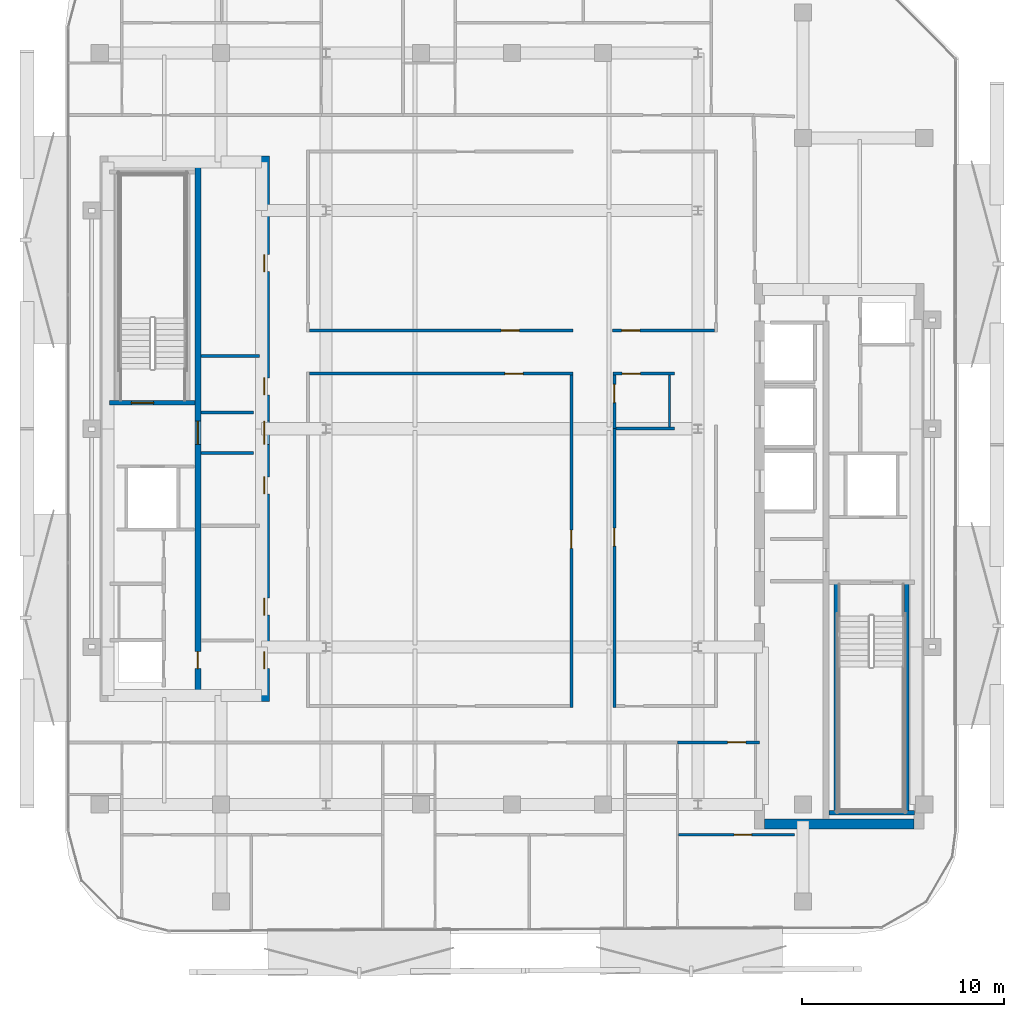
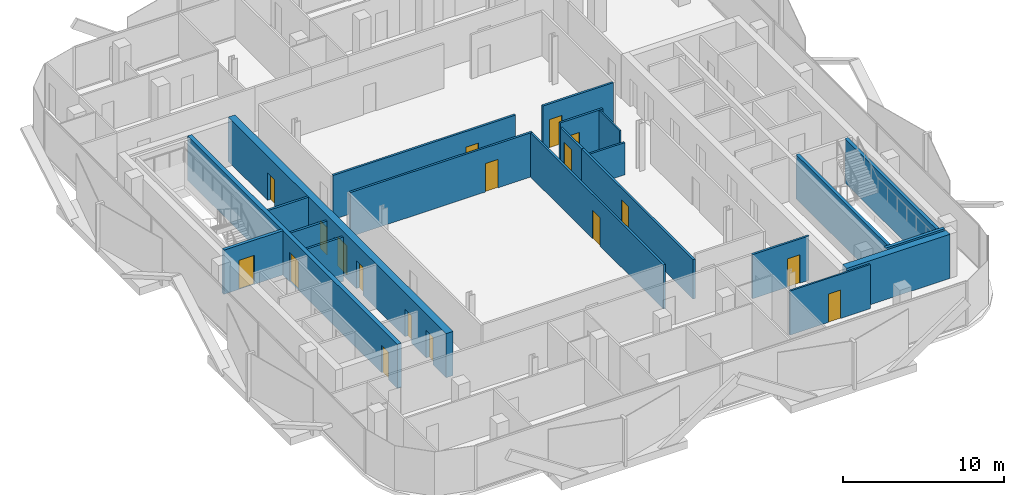
# One storey, part 4 of 15: 21 walls, 18 doors, 18 openings.
"""IFC4 building model written with IfcOpenShell, lengths in metres."""

from ifc_helpers import new_model, si_unit, direction, frame, frame_2d, origin, place, context, subcontext, project, spatial, rectangle, extrude, material, layer, layer_set, type_object, element, fill, save


model = new_model("IFC4")

# Units and contexts
model_context = context("Model", 3, precision=1e-05, world=origin(), true_north=direction((0.0, 1.0)))
body_context = subcontext(model_context, "Body", "Model", "MODEL_VIEW")
ifc_project = project(units=[si_unit("LENGTHUNIT", "METRE"), si_unit("AREAUNIT", "SQUARE_METRE"), si_unit("VOLUMEUNIT", "CUBIC_METRE"), si_unit("PLANEANGLEUNIT", "RADIAN"), si_unit("MASSUNIT", "GRAM", prefix="KILO")], contexts=[model_context])

# Site, building, storey
site_placement = place(None, origin())
site = spatial("IfcSite", under=ifc_project, at=site_placement, CompositionType="ELEMENT")
building_placement = place(site_placement, origin())
building = spatial("IfcBuilding", under=site, at=building_placement, Name="Khairoan Windgate Tower", CompositionType="ELEMENT")
storey_placement = place(building_placement, frame((0.0, 0.0, 251.199951171875)))
storey = spatial("IfcBuildingStorey", under=building, at=storey_placement, Name="L59", CompositionType="ELEMENT", Elevation=251.199951171875)

# Walls
ifc_material_1 = material(Name="Moisture-Resistant Gypsum Partition", Category="gypsum")
ifc_layer_1 = layer(ifc_material_1, 0.10009765625, Name="Moisture-Resistant Gypsum Partition")
ifc_layer_set_1 = layer_set([ifc_layer_1], Name="Moisture-Resistant Gypsum Partition")
wall_type_1 = type_object("IfcWallType", Name="Bathroom Wet-Area Partition Wall", PredefinedType="PARTITIONING", material=ifc_layer_set_1)
wall_1_placement = place(storey_placement, frame((7.800048828125, 2.659912109375, 0.0), z_axis=(0.0, 0.0, 1.0), x_axis=(0.0, -1.0, 0.0)))
element("IfcWall", 1, at=wall_1_placement, inside=storey, type_object=wall_type_1, Name="L59 Wet Room Side Wall 088", PredefinedType="PARTITIONING", context=body_context, shape_type="SweptSolid", body=[
    extrude(rectangle(XDim=2.56982421875, YDim=0.10009765625, at=frame_2d((1.284912109375, 0.0))), origin(), (0.0, 0.0, 1.0), 3.340087890625),
])
ifc_material_2 = material(Name="Concrete C40/50", Category="concrete")
ifc_layer_2 = layer(ifc_material_2, 0.159912109375, Name="Concrete C40/50")
ifc_layer_set_2 = layer_set([ifc_layer_2], Name="Concrete C40/50")
wall_type_2 = type_object("IfcWallType", Name="Core and Hoistway Enclosure Wall", PredefinedType="STANDARD", material=ifc_layer_set_2)
for number, where, z_axis, x_axis, name in (
    (2, (-15.39990234375, 0.800048828125, 0.0), (0.0, 0.0, 1.0), (1.0, 0.0, 0.0), "L59 Core Shaft Wall SW-WV1-L59"),
    (3, (-15.39990234375, -1.199951171875, 0.0), (0.0, 0.0, 1.0), (1.0, 0.0, 0.0), "L59 Core Shaft Wall SW-WV2-L59"),
):
    element("IfcWall", number, at=place(storey_placement, frame(where, z_axis=z_axis, x_axis=x_axis)), inside=storey, type_object=wall_type_2, Name=name, PredefinedType="STANDARD", context=body_context, shape_type="SweptSolid", body=[
        extrude(rectangle(XDim=2.599853515625, YDim=0.159912109375, at=frame_2d((1.2998046875, 0.0))), origin(), (0.0, 0.0, 1.0), 3.340087890625),
    ])
ifc_material_3 = material(Name="Acoustic Fire-Rated Gypsum Partition", Category="gypsum")
ifc_layer_3 = layer(ifc_material_3, 0.139892578125, Name="Acoustic Fire-Rated Gypsum Partition")
ifc_layer_set_3 = layer_set([ifc_layer_3], Name="Acoustic Fire-Rated Gypsum Partition")
wall_type_3 = type_object("IfcWallType", Name="Inter-Tenancy Compartment Wall", PredefinedType="PARTITIONING", material=ifc_layer_set_3)
wall_2_placement = place(storey_placement, frame((5.139892578125, 0.02001953125, 0.0), z_axis=(0.0, 0.0, 1.0), x_axis=(1.0, 0.0, 0.0)))
element("IfcWall", 4, at=wall_2_placement, inside=storey, type_object=wall_type_3, Name="L59 Interior Partition 086", PredefinedType="PARTITIONING", context=body_context, shape_type="SweptSolid", body=[
    extrude(rectangle(XDim=2.900146484375, YDim=0.139892578125, at=frame_2d((1.4501953125, 0.0))), origin(), (0.0, 0.0, 1.0), 2.43994140625),
])

# Wall, opening, door
ifc_material_4 = material(Name="Gypsum Stud Partition", Category="gypsum")
ifc_layer_4 = layer(ifc_material_4, 0.1201171875, Name="Gypsum Stud Partition")
ifc_layer_set_4 = layer_set([ifc_layer_4], Name="Gypsum Stud Partition")
wall_type_4 = type_object("IfcWallType", Name="Internal Room Partition Wall", PredefinedType="PARTITIONING", material=ifc_layer_set_4)
wall_3_placement = place(storey_placement, frame((8.25, -20.10009765625, 0.0), z_axis=(0.0, 0.0, 1.0), x_axis=(1.0, 0.0, 0.0)))
wall_3 = element("IfcWall", 5, at=wall_3_placement, inside=storey, type_object=wall_type_4, Name="L59 Interior Partition 085", PredefinedType="PARTITIONING", context=body_context, shape_type="SweptSolid", body=[
    extrude(rectangle(XDim=5.72998046875, YDim=0.1201171875, at=frame_2d((2.864990234375, 0.0))), origin(), (0.0, 0.0, 1.0), 3.340087890625),
])
opening_1_placement = place(wall_3_placement, frame((2.746826171875, 0.0, 0.0)))
opening_1 = element("IfcOpeningElement", 6, at=opening_1_placement, cuts=wall_3, Name="Opening ID-RM", PredefinedType="OPENING", context=body_context, shape_type="SweptSolid", body=[
    extrude(rectangle(XDim=0.860107421875, YDim=2.14990234375, at=frame_2d((0.43017578125, 1.074951171875))), frame((0.0, 0.070068359375, 0.0), z_axis=(0.0, -1.0, 0.0), x_axis=(1.0, 0.0, 0.0)), (0.0, 0.0, 1.0), 0.14013671875),
])
ifc_material_5 = material(Name="Teak Veneer Timber Leaf", Category="wood")
door_type_1 = type_object("IfcDoorType", Name="Internal Bedroom and Office Door ID-RM 860x2150", OperationType="NOTDEFINED", PredefinedType="DOOR", material=ifc_material_5)
door_1_placement = place(opening_1_placement, origin())
door_1 = element("IfcDoor", 7, at=door_1_placement, inside=storey, type_object=door_type_1, Name="L59 L59-56-L59-57 Door", OperationType="SINGLE_SWING_RIGHT", OverallHeight=2.14990234375, OverallWidth=0.860107421875, PredefinedType="DOOR", context=body_context, shape_type="SweptSolid", body=[
    extrude(rectangle(XDim=0.860107421875, YDim=2.14990234375, at=frame_2d((0.43017578125, 1.074951171875))), frame((0.0, 0.02490234375, 0.0), z_axis=(0.0, -1.0, 0.0), x_axis=(1.0, 0.0, 0.0)), (0.0, 0.0, 1.0), 0.050048828125),
])
fill(opening_1, door_1)

# Wall
ifc_material_6 = material(Name="Concrete C40/50", Category="concrete")
ifc_layer_5 = layer(ifc_material_6, 0.159912109375, Name="Concrete C40/50")
ifc_layer_set_5 = layer_set([ifc_layer_5], Name="Concrete C40/50")
wall_type_5 = type_object("IfcWallType", Name="Plant and Refuge Compartment Wall", PredefinedType="PARTITIONING", material=ifc_layer_set_5)
wall_4_placement = place(storey_placement, frame((-15.39990234375, 3.60009765625, 0.0), z_axis=(0.0, 0.0, 1.0), x_axis=(1.0, 0.0, 0.0)))
element("IfcWall", 8, at=wall_4_placement, inside=storey, type_object=wall_type_5, Name="L59 Interior Partition 006", PredefinedType="PARTITIONING", context=body_context, shape_type="SweptSolid", body=[
    extrude(rectangle(XDim=2.89990234375, YDim=0.159912109375, at=frame_2d((1.449951171875, 0.0))), origin(), (0.0, 0.0, 1.0), 3.340087890625),
])

# Wall, opening, door
ifc_material_7 = material(Name="Acoustic Fire-Rated Gypsum Partition", Category="gypsum")
ifc_layer_6 = layer(ifc_material_7, 0.14990234375, Name="Acoustic Fire-Rated Gypsum Partition")
ifc_layer_set_6 = layer_set([ifc_layer_6], Name="Acoustic Fire-Rated Gypsum Partition")
wall_type_6 = type_object("IfcWallType", Name="Rated Corridor Partition Wall", PredefinedType="PARTITIONING", material=ifc_layer_set_6)
wall_5_placement = place(storey_placement, frame((-10.02490234375, 4.864990234375, 0.0), z_axis=(0.0, 0.0, 1.0), x_axis=(1.0, 0.0, 0.0)))
wall_5 = element("IfcWall", 9, at=wall_5_placement, inside=storey, type_object=wall_type_6, Name="L59 Interior Partition 016", PredefinedType="PARTITIONING", context=body_context, shape_type="SweptSolid", body=[
    extrude(rectangle(XDim=13.054931640625, YDim=0.14990234375, at=frame_2d((6.52734375, 0.0))), origin(), (0.0, 0.0, 1.0), 3.340087890625),
])
opening_2_placement = place(wall_5_placement, frame((9.488037109375, 0.0, 0.0)))
opening_2 = element("IfcOpeningElement", 10, at=opening_2_placement, cuts=wall_5, Name="Opening FD-ENT", PredefinedType="OPENING", context=body_context, shape_type="SweptSolid", body=[
    extrude(rectangle(XDim=0.89990234375, YDim=2.14990234375, at=frame_2d((0.449951171875, 1.074951171875))), frame((0.0, 0.0849609375, 0.0), z_axis=(0.0, -1.0, 0.0), x_axis=(1.0, 0.0, 0.0)), (0.0, 0.0, 1.0), 0.169921875),
])
ifc_material_8 = material(Name="Timber Fire-Rated Core", Category="wood")
door_type_2 = type_object("IfcDoorType", Name="Unit and Office Fire Entrance Door FD-ENT 900x2150", OperationType="NOTDEFINED", PredefinedType="DOOR", material=ifc_material_8)
door_2_placement = place(opening_2_placement, origin())
door_2 = element("IfcDoor", 11, at=door_2_placement, inside=storey, type_object=door_type_2, Name="L59 L59-28-L59-59 Door", OperationType="SINGLE_SWING_LEFT", OverallHeight=2.14990234375, OverallWidth=0.89990234375, PredefinedType="DOOR", context=body_context, shape_type="SweptSolid", body=[
    extrude(rectangle(XDim=0.89990234375, YDim=2.14990234375, at=frame_2d((0.449951171875, 1.074951171875))), frame((0.0, 0.02490234375, 0.0), z_axis=(0.0, -1.0, 0.0), x_axis=(1.0, 0.0, 0.0)), (0.0, 0.0, 1.0), 0.050048828125),
])
fill(opening_2, door_2)

wall_6_placement = place(storey_placement, frame((-10.02490234375, 2.735107421875, 0.0), z_axis=(0.0, 0.0, 1.0), x_axis=(1.0, 0.0, 0.0)))
wall_6 = element("IfcWall", 12, at=wall_6_placement, inside=storey, type_object=wall_type_6, Name="L59 Interior Partition 017", PredefinedType="PARTITIONING", context=body_context, shape_type="SweptSolid", body=[
    extrude(rectangle(XDim=13.034912109375, YDim=0.14990234375, at=frame_2d((6.517578125, 0.0))), origin(), (0.0, 0.0, 1.0), 3.340087890625),
])
opening_3_placement = place(wall_6_placement, frame((9.67236328125, 0.0, 0.0)))
opening_3 = element("IfcOpeningElement", 13, at=opening_3_placement, cuts=wall_6, Name="Opening FD-ENT", PredefinedType="OPENING", context=body_context, shape_type="SweptSolid", body=[
    extrude(rectangle(XDim=0.89990234375, YDim=2.14990234375, at=frame_2d((0.449951171875, 1.074951171875))), frame((0.0, 0.0849609375, 0.0), z_axis=(0.0, -1.0, 0.0), x_axis=(1.0, 0.0, 0.0)), (0.0, 0.0, 1.0), 0.169921875),
])
door_3_placement = place(opening_3_placement, origin())
door_3 = element("IfcDoor", 14, at=door_3_placement, inside=storey, type_object=door_type_2, Name="L59 L59-28-L59-60 Door", OperationType="SINGLE_SWING_RIGHT", OverallHeight=2.14990234375, OverallWidth=0.89990234375, PredefinedType="DOOR", context=body_context, shape_type="SweptSolid", body=[
    extrude(rectangle(XDim=0.89990234375, YDim=2.14990234375, at=frame_2d((0.449951171875, 1.074951171875))), frame((0.0, 0.02490234375, 0.0), z_axis=(0.0, -1.0, 0.0), x_axis=(1.0, 0.0, 0.0)), (0.0, 0.0, 1.0), 0.050048828125),
])
fill(opening_3, door_3)

wall_7_placement = place(storey_placement, frame((4.969970703125, 4.864990234375, 0.0), z_axis=(0.0, 0.0, 1.0), x_axis=(1.0, 0.0, 0.0)))
wall_7 = element("IfcWall", 15, at=wall_7_placement, inside=storey, type_object=wall_type_6, Name="L59 Interior Partition 018", PredefinedType="PARTITIONING", context=body_context, shape_type="SweptSolid", body=[
    extrude(rectangle(XDim=5.054931640625, YDim=0.14990234375, at=frame_2d((2.52734375, 0.0))), origin(), (0.0, 0.0, 1.0), 3.340087890625),
])
opening_4_placement = place(wall_7_placement, frame((0.4599609375, 0.0, 0.0)))
opening_4 = element("IfcOpeningElement", 16, at=opening_4_placement, cuts=wall_7, Name="Opening FD-ENT", PredefinedType="OPENING", context=body_context, shape_type="SweptSolid", body=[
    extrude(rectangle(XDim=0.89990234375, YDim=2.14990234375, at=frame_2d((0.449951171875, 1.074951171875))), frame((0.0, 0.0849609375, 0.0), z_axis=(0.0, -1.0, 0.0), x_axis=(1.0, 0.0, 0.0)), (0.0, 0.0, 1.0), 0.169921875),
])
door_4_placement = place(opening_4_placement, origin())
door_4 = element("IfcDoor", 17, at=door_4_placement, inside=storey, type_object=door_type_2, Name="L59 L59-28-L59-61 Door", OperationType="SINGLE_SWING_LEFT", OverallHeight=2.14990234375, OverallWidth=0.89990234375, PredefinedType="DOOR", context=body_context, shape_type="SweptSolid", body=[
    extrude(rectangle(XDim=0.89990234375, YDim=2.14990234375, at=frame_2d((0.449951171875, 1.074951171875))), frame((0.0, 0.02490234375, 0.0), z_axis=(0.0, -1.0, 0.0), x_axis=(1.0, 0.0, 0.0)), (0.0, 0.0, 1.0), 0.050048828125),
])
fill(opening_4, door_4)

wall_8_placement = place(storey_placement, frame((4.989990234375, 2.735107421875, 0.0), z_axis=(0.0, 0.0, 1.0), x_axis=(1.0, 0.0, 0.0)))
wall_8 = element("IfcWall", 18, at=wall_8_placement, inside=storey, type_object=wall_type_6, Name="L59 Interior Partition 019", PredefinedType="PARTITIONING", context=body_context, shape_type="SweptSolid", body=[
    extrude(rectangle(XDim=3.050048828125, YDim=0.14990234375, at=frame_2d((1.52490234375, 0.0))), origin(), (0.0, 0.0, 1.0), 3.340087890625),
])
opening_5_placement = place(wall_8_placement, frame((0.4599609375, 0.0, 0.0)))
opening_5 = element("IfcOpeningElement", 19, at=opening_5_placement, cuts=wall_8, Name="Opening FD-ENT", PredefinedType="OPENING", context=body_context, shape_type="SweptSolid", body=[
    extrude(rectangle(XDim=0.89990234375, YDim=2.14990234375, at=frame_2d((0.449951171875, 1.074951171875))), frame((0.0, 0.0849609375, 0.0), z_axis=(0.0, -1.0, 0.0), x_axis=(1.0, 0.0, 0.0)), (0.0, 0.0, 1.0), 0.169921875),
])
door_5_placement = place(opening_5_placement, origin())
door_5 = element("IfcDoor", 20, at=door_5_placement, inside=storey, type_object=door_type_2, Name="L59 L59-28-L59-62 Door", OperationType="SINGLE_SWING_RIGHT", OverallHeight=2.14990234375, OverallWidth=0.89990234375, PredefinedType="DOOR", context=body_context, shape_type="SweptSolid", body=[
    extrude(rectangle(XDim=0.89990234375, YDim=2.14990234375, at=frame_2d((0.449951171875, 1.074951171875))), frame((0.0, 0.02490234375, 0.0), z_axis=(0.0, -1.0, 0.0), x_axis=(1.0, 0.0, 0.0)), (0.0, 0.0, 1.0), 0.050048828125),
])
fill(opening_5, door_5)

wall_9_placement = place(storey_placement, frame((2.93505859375, -13.794921875, 0.0), z_axis=(0.0, 0.0, 1.0), x_axis=(0.0, 1.0, 0.0)))
wall_9 = element("IfcWall", 21, at=wall_9_placement, inside=storey, type_object=wall_type_6, Name="L59 Interior Partition 020", PredefinedType="PARTITIONING", context=body_context, shape_type="SweptSolid", body=[
    extrude(rectangle(XDim=16.454833984375, YDim=0.14990234375, at=frame_2d((8.2275390625, 0.0))), origin(), (0.0, 0.0, 1.0), 3.340087890625),
])
opening_6_placement = place(wall_9_placement, frame((7.877685546875, 0.0, 0.0)))
opening_6 = element("IfcOpeningElement", 22, at=opening_6_placement, cuts=wall_9, Name="Opening FD-ENT", PredefinedType="OPENING", context=body_context, shape_type="SweptSolid", body=[
    extrude(rectangle(XDim=0.89990234375, YDim=2.14990234375, at=frame_2d((0.449951171875, 1.074951171875))), frame((0.0, 0.0849609375, 0.0), z_axis=(0.0, -1.0, 0.0), x_axis=(1.0, 0.0, 0.0)), (0.0, 0.0, 1.0), 0.169921875),
])
door_6_placement = place(opening_6_placement, origin())
door_6 = element("IfcDoor", 23, at=door_6_placement, inside=storey, type_object=door_type_2, Name="L59 L59-29-L59-60 Door", OperationType="SINGLE_SWING_LEFT", OverallHeight=2.14990234375, OverallWidth=0.89990234375, PredefinedType="DOOR", context=body_context, shape_type="SweptSolid", body=[
    extrude(rectangle(XDim=0.89990234375, YDim=2.14990234375, at=frame_2d((0.449951171875, 1.074951171875))), frame((0.0, 0.02490234375, 0.0), z_axis=(0.0, -1.0, 0.0), x_axis=(1.0, 0.0, 0.0)), (0.0, 0.0, 1.0), 0.050048828125),
])
fill(opening_6, door_6)

wall_10_placement = place(storey_placement, frame((5.06494140625, 0.02001953125, 0.0), z_axis=(0.0, 0.0, 1.0), x_axis=(0.0, 1.0, 0.0)))
wall_10 = element("IfcWall", 24, at=wall_10_placement, inside=storey, type_object=wall_type_6, Name="L59 Interior Partition 021", PredefinedType="PARTITIONING", context=body_context, shape_type="SweptSolid", body=[
    extrude(rectangle(XDim=2.639892578125, YDim=0.14990234375, at=frame_2d((1.31982421875, 0.0))), origin(), (0.0, 0.0, 1.0), 2.989990234375),
])
opening_7_placement = place(wall_10_placement, frame((1.280029296875, 0.0, 0.0)))
opening_7 = element("IfcOpeningElement", 25, at=opening_7_placement, cuts=wall_10, Name="Opening FD-ENT", PredefinedType="OPENING", context=body_context, shape_type="SweptSolid", body=[
    extrude(rectangle(XDim=0.89990234375, YDim=2.14990234375, at=frame_2d((0.449951171875, 1.074951171875))), frame((0.0, 0.0849609375, 0.0), z_axis=(0.0, -1.0, 0.0), x_axis=(1.0, 0.0, 0.0)), (0.0, 0.0, 1.0), 0.169921875),
])
door_7_placement = place(opening_7_placement, origin())
door_7 = element("IfcDoor", 26, at=door_7_placement, inside=storey, type_object=door_type_2, Name="L59 L59-29-L59-62 Door", OperationType="SINGLE_SWING_RIGHT", OverallHeight=2.14990234375, OverallWidth=0.89990234375, PredefinedType="DOOR", context=body_context, shape_type="SweptSolid", body=[
    extrude(rectangle(XDim=0.89990234375, YDim=2.14990234375, at=frame_2d((0.449951171875, 1.074951171875))), frame((0.0, 0.02490234375, 0.0), z_axis=(0.0, -1.0, 0.0), x_axis=(1.0, 0.0, 0.0)), (0.0, 0.0, 1.0), 0.050048828125),
])
fill(opening_7, door_7)

wall_11_placement = place(storey_placement, frame((5.06494140625, -13.794921875, 0.0), z_axis=(0.0, 0.0, 1.0), x_axis=(0.0, 1.0, 0.0)))
wall_11 = element("IfcWall", 27, at=wall_11_placement, inside=storey, type_object=wall_type_6, Name="L59 Interior Partition 022", PredefinedType="PARTITIONING", context=body_context, shape_type="SweptSolid", body=[
    extrude(rectangle(XDim=13.81494140625, YDim=0.14990234375, at=frame_2d((6.907470703125, 0.0))), origin(), (0.0, 0.0, 1.0), 2.989990234375),
])
opening_8_placement = place(wall_11_placement, frame((7.982421875, 0.0, 0.0)))
opening_8 = element("IfcOpeningElement", 28, at=opening_8_placement, cuts=wall_11, Name="Opening FD-ENT", PredefinedType="OPENING", context=body_context, shape_type="SweptSolid", body=[
    extrude(rectangle(XDim=0.89990234375, YDim=2.14990234375, at=frame_2d((0.449951171875, 1.074951171875))), frame((0.0, 0.0849609375, 0.0), z_axis=(0.0, -1.0, 0.0), x_axis=(1.0, 0.0, 0.0)), (0.0, 0.0, 1.0), 0.169921875),
])
door_8_placement = place(opening_8_placement, origin())
door_8 = element("IfcDoor", 29, at=door_8_placement, inside=storey, type_object=door_type_2, Name="L59 L59-29-L59-63 Door", OperationType="SINGLE_SWING_LEFT", OverallHeight=2.14990234375, OverallWidth=0.89990234375, PredefinedType="DOOR", context=body_context, shape_type="SweptSolid", body=[
    extrude(rectangle(XDim=0.89990234375, YDim=2.14990234375, at=frame_2d((0.449951171875, 1.074951171875))), frame((0.0, 0.02490234375, 0.0), z_axis=(0.0, -1.0, 0.0), x_axis=(1.0, 0.0, 0.0)), (0.0, 0.0, 1.0), 0.050048828125),
])
fill(opening_8, door_8)

wall_12_placement = place(storey_placement, frame((8.18994140625, -15.52490234375, 0.0), z_axis=(0.0, 0.0, 1.0), x_axis=(1.0, 0.0, 0.0)))
wall_12 = element("IfcWall", 30, at=wall_12_placement, inside=storey, type_object=wall_type_6, Name="L59 Interior Partition 037", PredefinedType="PARTITIONING", context=body_context, shape_type="SweptSolid", body=[
    extrude(rectangle(XDim=4.050048828125, YDim=0.14990234375, at=frame_2d((2.02490234375, 0.0))), origin(), (0.0, 0.0, 1.0), 3.340087890625),
])
opening_9_placement = place(wall_12_placement, frame((2.4873046875, 0.0, 0.0)))
opening_9 = element("IfcOpeningElement", 31, at=opening_9_placement, cuts=wall_12, Name="Opening FD-ENT", PredefinedType="OPENING", context=body_context, shape_type="SweptSolid", body=[
    extrude(rectangle(XDim=0.89990234375, YDim=2.14990234375, at=frame_2d((0.449951171875, 1.074951171875))), frame((0.0, 0.0849609375, 0.0), z_axis=(0.0, -1.0, 0.0), x_axis=(1.0, 0.0, 0.0)), (0.0, 0.0, 1.0), 0.169921875),
])
door_9_placement = place(opening_9_placement, origin())
door_9 = element("IfcDoor", 32, at=door_9_placement, inside=storey, type_object=door_type_2, Name="L59 L59-31-L59-56 Door", OperationType="SINGLE_SWING_LEFT", OverallHeight=2.14990234375, OverallWidth=0.89990234375, PredefinedType="DOOR", context=body_context, shape_type="SweptSolid", body=[
    extrude(rectangle(XDim=0.89990234375, YDim=2.14990234375, at=frame_2d((0.449951171875, 1.074951171875))), frame((0.0, 0.02490234375, 0.0), z_axis=(0.0, -1.0, 0.0), x_axis=(1.0, 0.0, 0.0)), (0.0, 0.0, 1.0), 0.050048828125),
])
fill(opening_9, door_9)

# Wall
ifc_material_9 = material(Name="Concrete C50/60", Category="concrete")
ifc_layer_7 = layer(ifc_material_9, 0.5, Name="Concrete C50/60")
ifc_layer_set_7 = layer_set([ifc_layer_7], Name="Concrete C50/60")
wall_type_7 = type_object("IfcWallType", Name="Shear Wall CW-E3 500mm", PredefinedType="SHEAR", material=ifc_layer_set_7)
wall_13_placement = place(storey_placement, frame((12.5, -19.550048828125, 0.0), z_axis=(0.0, 0.0, 1.0), x_axis=(1.0, 0.0, 0.0)))
element("IfcWall", 33, at=wall_13_placement, inside=storey, type_object=wall_type_7, Name="E Core South Shear Wall L59", PredefinedType="SHEAR", context=body_context, shape_type="SweptSolid", body=[
    extrude(rectangle(XDim=7.39990234375, YDim=0.5, at=frame_2d((3.699951171875, 0.0))), origin(), (0.0, 0.0, 1.0), 3.340087890625),
])

# Wall, openings, doors
ifc_material_10 = material(Name="Concrete C50/60", Category="concrete")
ifc_layer_8 = layer(ifc_material_10, 0.5, Name="Concrete C50/60")
ifc_layer_set_8 = layer_set([ifc_layer_8], Name="Concrete C50/60")
wall_type_8 = type_object("IfcWallType", Name="Shear Wall CW-W3 500mm", PredefinedType="SHEAR", material=ifc_layer_set_8)
wall_14_placement = place(storey_placement, frame((-12.25, -13.5, 0.0), z_axis=(0.0, 0.0, 1.0), x_axis=(0.0, 1.0, 0.0)))
wall_14 = element("IfcWall", 34, at=wall_14_placement, inside=storey, type_object=wall_type_8, Name="W Core East Shear Wall L59", PredefinedType="SHEAR", context=body_context, shape_type="SweptSolid", body=[
    extrude(rectangle(XDim=27.0, YDim=0.5, at=frame_2d((13.5, 0.0))), origin(), (0.0, 0.0, 1.0), 3.340087890625),
])
opening_10_placement = place(wall_14_placement, frame((15.175048828125, 0.0, 0.0)))
opening_10 = element("IfcOpeningElement", 35, at=opening_10_placement, cuts=wall_14, Name="Opening FD-SRV", PredefinedType="OPENING", context=body_context, shape_type="SweptSolid", body=[
    extrude(rectangle(XDim=0.85009765625, YDim=2.10009765625, at=frame_2d((0.425048828125, 1.050048828125))), frame((0.0, 0.260009765625, 0.0), z_axis=(0.0, -1.0, 0.0), x_axis=(1.0, 0.0, 0.0)), (0.0, 0.0, 1.0), 0.52001953125),
])
opening_11_placement = place(wall_14_placement, frame((21.27490234375, 0.0, 0.0)))
opening_11 = element("IfcOpeningElement", 36, at=opening_11_placement, cuts=wall_14, Name="Opening FD-SRV", PredefinedType="OPENING", context=body_context, shape_type="SweptSolid", body=[
    extrude(rectangle(XDim=0.85009765625, YDim=2.10009765625, at=frame_2d((0.425048828125, 1.050048828125))), frame((0.0, 0.260009765625, 0.0), z_axis=(0.0, -1.0, 0.0), x_axis=(1.0, 0.0, 0.0)), (0.0, 0.0, 1.0), 0.52001953125),
])
opening_12_placement = place(wall_14_placement, frame((4.27490234375, 0.0, 0.0)))
opening_12 = element("IfcOpeningElement", 37, at=opening_12_placement, cuts=wall_14, Name="Opening FD-SRV", PredefinedType="OPENING", context=body_context, shape_type="SweptSolid", body=[
    extrude(rectangle(XDim=0.85009765625, YDim=2.10009765625, at=frame_2d((0.425048828125, 1.050048828125))), frame((0.0, 0.260009765625, 0.0), z_axis=(0.0, -1.0, 0.0), x_axis=(1.0, 0.0, 0.0)), (0.0, 0.0, 1.0), 0.52001953125),
])
opening_13_placement = place(wall_14_placement, frame((10.27490234375, 0.0, 0.0)))
opening_13 = element("IfcOpeningElement", 38, at=opening_13_placement, cuts=wall_14, Name="Opening FD-SRV", PredefinedType="OPENING", context=body_context, shape_type="SweptSolid", body=[
    extrude(rectangle(XDim=0.85009765625, YDim=2.10009765625, at=frame_2d((0.425048828125, 1.050048828125))), frame((0.0, 0.260009765625, 0.0), z_axis=(0.0, -1.0, 0.0), x_axis=(1.0, 0.0, 0.0)), (0.0, 0.0, 1.0), 0.52001953125),
])
opening_14_placement = place(wall_14_placement, frame((12.72509765625, 0.0, 0.0)))
opening_14 = element("IfcOpeningElement", 39, at=opening_14_placement, cuts=wall_14, Name="Opening FD-FFL", PredefinedType="OPENING", context=body_context, shape_type="SweptSolid", body=[
    extrude(rectangle(XDim=1.14990234375, YDim=2.199951171875, at=frame_2d((0.574951171875, 1.10009765625))), frame((0.0, 0.260009765625, 0.0), z_axis=(0.0, -1.0, 0.0), x_axis=(1.0, 0.0, 0.0)), (0.0, 0.0, 1.0), 0.52001953125),
])
opening_15_placement = place(wall_14_placement, frame((1.625, 0.0, 0.0)))
opening_15 = element("IfcOpeningElement", 40, at=opening_15_placement, cuts=wall_14, Name="Opening FD-SRV", PredefinedType="OPENING", context=body_context, shape_type="SweptSolid", body=[
    extrude(rectangle(XDim=0.85009765625, YDim=2.10009765625, at=frame_2d((0.425048828125, 1.050048828125))), frame((0.0, 0.260009765625, 0.0), z_axis=(0.0, -1.0, 0.0), x_axis=(1.0, 0.0, 0.0)), (0.0, 0.0, 1.0), 0.52001953125),
])
ifc_material_11 = material(Name="Steel S355", Category="steel")
door_type_3 = type_object("IfcDoorType", Name="Core Service and Riser Fire Door FD-SRV 850x2100", OperationType="NOTDEFINED", PredefinedType="DOOR", material=ifc_material_11)
door_10_placement = place(opening_10_placement, origin())
door_10 = element("IfcDoor", 41, at=door_10_placement, inside=storey, type_object=door_type_3, Name="L59 Upper Core Room Door B1-1", OperationType="SINGLE_SWING_RIGHT", OverallHeight=2.10009765625, OverallWidth=0.85009765625, PredefinedType="DOOR", context=body_context, shape_type="SweptSolid", body=[
    extrude(rectangle(XDim=0.85009765625, YDim=2.10009765625, at=frame_2d((0.425048828125, 1.050048828125))), frame((0.0, 0.02490234375, 0.0), z_axis=(0.0, -1.0, 0.0), x_axis=(1.0, 0.0, 0.0)), (0.0, 0.0, 1.0), 0.050048828125),
])
fill(opening_10, door_10)
door_11_placement = place(opening_11_placement, origin())
door_11 = element("IfcDoor", 42, at=door_11_placement, inside=storey, type_object=door_type_3, Name="L59 Upper Core Room Door B1-2", OperationType="SINGLE_SWING_LEFT", OverallHeight=2.10009765625, OverallWidth=0.85009765625, PredefinedType="DOOR", context=body_context, shape_type="SweptSolid", body=[
    extrude(rectangle(XDim=0.85009765625, YDim=2.10009765625, at=frame_2d((0.425048828125, 1.050048828125))), frame((0.0, 0.02490234375, 0.0), z_axis=(0.0, -1.0, 0.0), x_axis=(1.0, 0.0, 0.0)), (0.0, 0.0, 1.0), 0.050048828125),
])
fill(opening_11, door_11)
door_12_placement = place(opening_12_placement, origin())
door_12 = element("IfcDoor", 43, at=door_12_placement, inside=storey, type_object=door_type_3, Name="L59 Upper Core Room Door B2-1", OperationType="SINGLE_SWING_RIGHT", OverallHeight=2.10009765625, OverallWidth=0.85009765625, PredefinedType="DOOR", context=body_context, shape_type="SweptSolid", body=[
    extrude(rectangle(XDim=0.85009765625, YDim=2.10009765625, at=frame_2d((0.425048828125, 1.050048828125))), frame((0.0, 0.02490234375, 0.0), z_axis=(0.0, -1.0, 0.0), x_axis=(1.0, 0.0, 0.0)), (0.0, 0.0, 1.0), 0.050048828125),
])
fill(opening_12, door_12)
door_13_placement = place(opening_13_placement, origin())
door_13 = element("IfcDoor", 44, at=door_13_placement, inside=storey, type_object=door_type_3, Name="L59 Upper Core Room Door B2-2", OperationType="SINGLE_SWING_LEFT", OverallHeight=2.10009765625, OverallWidth=0.85009765625, PredefinedType="DOOR", context=body_context, shape_type="SweptSolid", body=[
    extrude(rectangle(XDim=0.85009765625, YDim=2.10009765625, at=frame_2d((0.425048828125, 1.050048828125))), frame((0.0, 0.02490234375, 0.0), z_axis=(0.0, -1.0, 0.0), x_axis=(1.0, 0.0, 0.0)), (0.0, 0.0, 1.0), 0.050048828125),
])
fill(opening_13, door_13)
door_14_placement = place(opening_15_placement, origin())
door_14 = element("IfcDoor", 45, at=door_14_placement, inside=storey, type_object=door_type_3, Name="L59 West Core Service Vestibule Outer Door", OperationType="SINGLE_SWING_LEFT", OverallHeight=2.10009765625, OverallWidth=0.85009765625, PredefinedType="DOOR", context=body_context, shape_type="SweptSolid", body=[
    extrude(rectangle(XDim=0.85009765625, YDim=2.10009765625, at=frame_2d((0.425048828125, 1.050048828125))), frame((0.0, 0.02490234375, 0.0), z_axis=(0.0, -1.0, 0.0), x_axis=(1.0, 0.0, 0.0)), (0.0, 0.0, 1.0), 0.050048828125),
])
fill(opening_15, door_14)
ifc_material_12 = material(Name="Steel S355", Category="steel")
door_type_4 = type_object("IfcDoorType", Name="Firefighting Lobby Fire Door FD-FFL 1150x2200", OperationType="NOTDEFINED", PredefinedType="DOOR", material=ifc_material_12)
door_15_placement = place(opening_14_placement, origin())
door_15 = element("IfcDoor", 46, at=door_15_placement, inside=storey, type_object=door_type_4, Name="L59 West Core Vestibule Entry Door", OperationType="SINGLE_SWING_LEFT", OverallHeight=2.199951171875, OverallWidth=1.14990234375, PredefinedType="DOOR", context=body_context, shape_type="SweptSolid", body=[
    extrude(rectangle(XDim=1.14990234375, YDim=2.199951171875, at=frame_2d((0.574951171875, 1.10009765625))), frame((0.0, 0.02490234375, 0.0), z_axis=(0.0, -1.0, 0.0), x_axis=(1.0, 0.0, 0.0)), (0.0, 0.0, 1.0), 0.050048828125),
])
fill(opening_14, door_15)

ifc_material_13 = material(Name="Concrete C50/60", Category="concrete")
ifc_layer_9 = layer(ifc_material_13, 0.300048828125, Name="Concrete C50/60")
ifc_layer_set_9 = layer_set([ifc_layer_9], Name="Concrete C50/60")
wall_type_9 = type_object("IfcWallType", Name="Shear Wall SW-2 300mm", PredefinedType="SHEAR", material=ifc_layer_set_9)
wall_15_placement = place(storey_placement, frame((-15.550048828125, -13.0, 0.0), z_axis=(0.0, 0.0, 1.0), x_axis=(0.0, 1.0, 0.0)))
wall_15 = element("IfcWall", 47, at=wall_15_placement, inside=storey, type_object=wall_type_9, Name="W Core Spine Shear Wall L59", PredefinedType="SHEAR", context=body_context, shape_type="SweptSolid", body=[
    extrude(rectangle(XDim=26.0, YDim=0.300048828125, at=frame_2d((13.0, 0.0))), origin(), (0.0, 0.0, 1.0), 3.340087890625),
])
opening_16_placement = place(wall_15_placement, frame((12.22509765625, 0.0, 0.0)))
opening_16 = element("IfcOpeningElement", 48, at=opening_16_placement, cuts=wall_15, Name="Opening FD-FFL", PredefinedType="OPENING", context=body_context, shape_type="SweptSolid", body=[
    extrude(rectangle(XDim=1.14990234375, YDim=2.199951171875, at=frame_2d((0.574951171875, 1.10009765625))), frame((0.0, 0.159912109375, 0.0), z_axis=(0.0, -1.0, 0.0), x_axis=(1.0, 0.0, 0.0)), (0.0, 0.0, 1.0), 0.320068359375),
])
opening_17_placement = place(wall_15_placement, frame((1.125, 0.0, 0.0)))
opening_17 = element("IfcOpeningElement", 49, at=opening_17_placement, cuts=wall_15, Name="Opening FD-SRV", PredefinedType="OPENING", context=body_context, shape_type="SweptSolid", body=[
    extrude(rectangle(XDim=0.85009765625, YDim=2.10009765625, at=frame_2d((0.425048828125, 1.050048828125))), frame((0.0, 0.159912109375, 0.0), z_axis=(0.0, -1.0, 0.0), x_axis=(1.0, 0.0, 0.0)), (0.0, 0.0, 1.0), 0.320068359375),
])
door_16_placement = place(opening_17_placement, origin())
door_16 = element("IfcDoor", 50, at=door_16_placement, inside=storey, type_object=door_type_3, Name="L59 West Core Service Passage Inner Door", OperationType="SINGLE_SWING_RIGHT", OverallHeight=2.10009765625, OverallWidth=0.85009765625, PredefinedType="DOOR", context=body_context, shape_type="SweptSolid", body=[
    extrude(rectangle(XDim=0.85009765625, YDim=2.10009765625, at=frame_2d((0.425048828125, 1.050048828125))), frame((0.0, 0.02490234375, 0.0), z_axis=(0.0, -1.0, 0.0), x_axis=(1.0, 0.0, 0.0)), (0.0, 0.0, 1.0), 0.050048828125),
])
fill(opening_17, door_16)
door_17_placement = place(opening_16_placement, origin())
door_17 = element("IfcDoor", 51, at=door_17_placement, inside=storey, type_object=door_type_4, Name="L59 West Firefighting Lobby Fire Door", OperationType="SINGLE_SWING_RIGHT", OverallHeight=2.199951171875, OverallWidth=1.14990234375, PredefinedType="DOOR", context=body_context, shape_type="SweptSolid", body=[
    extrude(rectangle(XDim=1.14990234375, YDim=2.199951171875, at=frame_2d((0.574951171875, 1.10009765625))), frame((0.0, 0.02490234375, 0.0), z_axis=(0.0, -1.0, 0.0), x_axis=(1.0, 0.0, 0.0)), (0.0, 0.0, 1.0), 0.050048828125),
])
fill(opening_16, door_17)

# Walls
ifc_material_14 = material(Name="Concrete C50/60", Category="concrete")
ifc_layer_10 = layer(ifc_material_14, 0.219970703125, Name="Concrete C50/60")
ifc_layer_set_10 = layer_set([ifc_layer_10], Name="Concrete C50/60")
wall_type_10 = type_object("IfcWallType", Name="Shear Wall SW-ST 220mm", PredefinedType="SHEAR", material=ifc_layer_set_10)
for number, where, z_axis, x_axis, name in (
    (52, (16.0400390625, -19.010009765625, 0.0), (0.0, 0.0, 1.0), (0.0, 1.0, 0.0), "L59 Stair ST1 West Bearing Wall"),
    (53, (19.530029296875, -19.010009765625, 0.0), (0.0, 0.0, 1.0), (0.0, 1.0, 0.0), "L59 Stair ST1 East Bearing Wall"),
):
    element("IfcWall", number, at=place(storey_placement, frame(where, z_axis=z_axis, x_axis=x_axis)), inside=storey, type_object=wall_type_10, Name=name, PredefinedType="SHEAR", context=body_context, shape_type="SweptSolid", body=[
        extrude(rectangle(XDim=11.419921875, YDim=0.219970703125, at=frame_2d((5.7099609375, 0.0))), origin(), (0.0, 0.0, 1.0), 3.340087890625),
    ])
wall_16_placement = place(storey_placement, frame((15.679931640625, -19.010009765625, 0.0), z_axis=(0.0, 0.0, 1.0), x_axis=(1.0, 0.0, 0.0)))
element("IfcWall", 54, at=wall_16_placement, inside=storey, type_object=wall_type_10, Name="L59 Stair ST1 South Bearing Wall", PredefinedType="SHEAR", context=body_context, shape_type="SweptSolid", body=[
    extrude(rectangle(XDim=4.239990234375, YDim=0.219970703125, at=frame_2d((2.1201171875, 0.0))), origin(), (0.0, 0.0, 1.0), 3.340087890625),
])

# Wall, opening, door
wall_17_placement = place(storey_placement, frame((-19.919921875, 1.2900390625, 0.0), z_axis=(0.0, 0.0, 1.0), x_axis=(1.0, 0.0, 0.0)))
wall_17 = element("IfcWall", 55, at=wall_17_placement, inside=storey, type_object=wall_type_10, Name="L59 Stair ST2 South Bearing Wall", PredefinedType="SHEAR", context=body_context, shape_type="SweptSolid", body=[
    extrude(rectangle(XDim=4.239990234375, YDim=0.219970703125, at=frame_2d((2.1201171875, 0.0))), origin(), (0.0, 0.0, 1.0), 3.340087890625),
])
opening_18_placement = place(wall_17_placement, frame((1.080078125, 0.0, 0.0)))
opening_18 = element("IfcOpeningElement", 56, at=opening_18_placement, cuts=wall_17, Name="Opening FD-ST", PredefinedType="OPENING", context=body_context, shape_type="SweptSolid", body=[
    extrude(rectangle(XDim=1.10009765625, YDim=2.199951171875, at=frame_2d((0.550048828125, 1.10009765625))), frame((0.0, 0.119873046875, 0.0), z_axis=(0.0, -1.0, 0.0), x_axis=(1.0, 0.0, 0.0)), (0.0, 0.0, 1.0), 0.239990234375),
])
ifc_material_15 = material(Name="Steel S355", Category="steel")
door_type_5 = type_object("IfcDoorType", Name="Smokeproof Stair Fire Door FD-ST 1100x2200", OperationType="NOTDEFINED", PredefinedType="DOOR", material=ifc_material_15)
door_18_placement = place(opening_18_placement, origin())
door_18 = element("IfcDoor", 57, at=door_18_placement, inside=storey, type_object=door_type_5, Name="L59 Stair ST2 Fire Door", OperationType="SINGLE_SWING_LEFT", OverallHeight=2.199951171875, OverallWidth=1.10009765625, PredefinedType="DOOR", context=body_context, shape_type="SweptSolid", body=[
    extrude(rectangle(XDim=1.10009765625, YDim=2.199951171875, at=frame_2d((0.550048828125, 1.10009765625))), frame((0.0, 0.02490234375, 0.0), z_axis=(0.0, -1.0, 0.0), x_axis=(1.0, 0.0, 0.0)), (0.0, 0.0, 1.0), 0.050048828125),
])
fill(opening_18, door_18)

save(model, "model.ifc")
